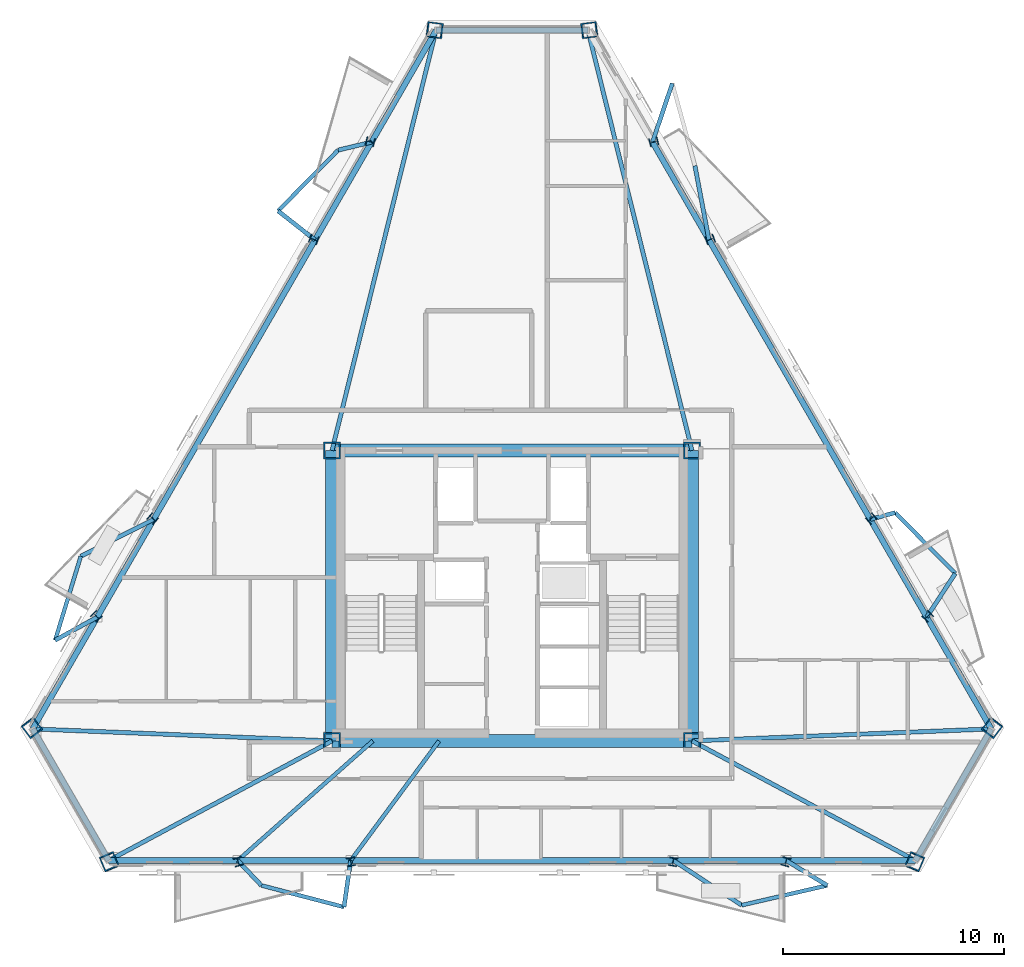
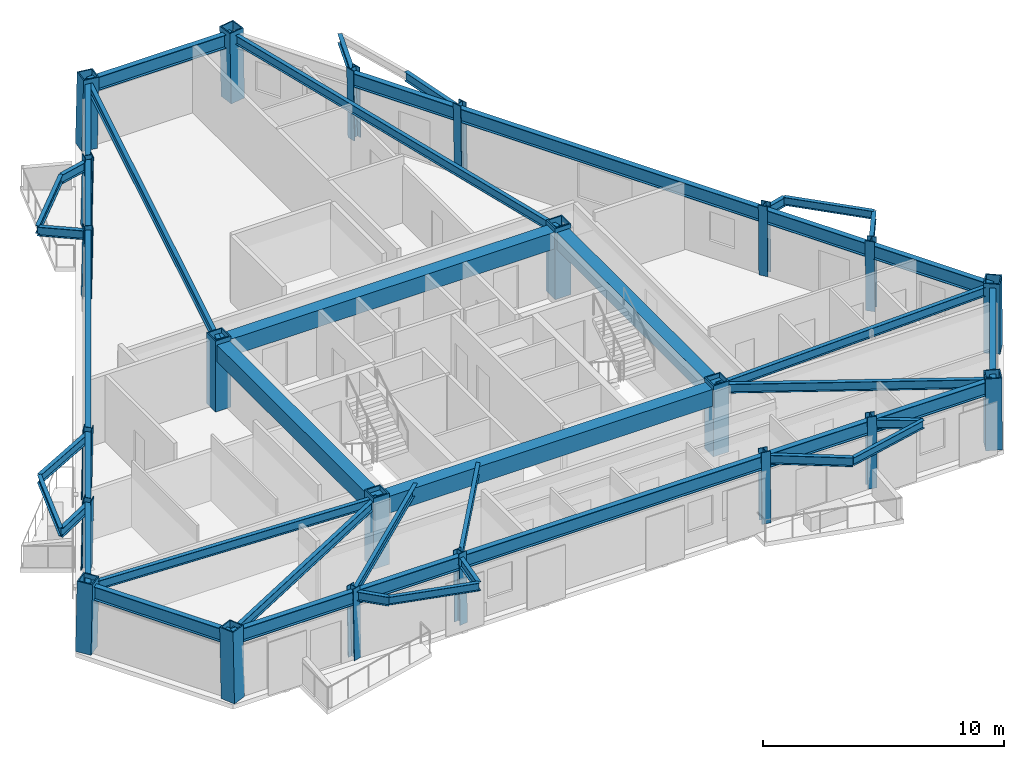
# One storey, part 1 of 10: 46 beams, 22 columns.
"""IFC4 building model written with IfcOpenShell, lengths in metres."""

from ifc_helpers import new_model, si_unit, direction, frame, origin, origin_2d, place, context, subcontext, project, spatial, rectangle, hollow_rectangle, i_section, extrude, material, material_profile, profile_set, type_object, element, save


model = new_model("IFC4")

# Units and contexts
model_context = context("Model", 3, precision=1e-05, world=origin(), true_north=direction((0.0, 1.0)))
body_context = subcontext(model_context, "Body", "Model", "MODEL_VIEW")
ifc_project = project(units=[si_unit("LENGTHUNIT", "METRE"), si_unit("AREAUNIT", "SQUARE_METRE"), si_unit("VOLUMEUNIT", "CUBIC_METRE"), si_unit("PLANEANGLEUNIT", "RADIAN"), si_unit("MASSUNIT", "GRAM", prefix="KILO")], contexts=[model_context])

# Site, building, storey
site_placement = place(None, origin())
site = spatial("IfcSite", under=ifc_project, at=site_placement, CompositionType="ELEMENT")
building_placement = place(site_placement, origin())
building = spatial("IfcBuilding", under=site, at=building_placement, Name="Oramaril Tower", CompositionType="ELEMENT")
storey_placement = place(building_placement, frame((0.0, 0.0, 209.10009765625)))
storey = spatial("IfcBuildingStorey", under=building, at=storey_placement, Name="L55", CompositionType="ELEMENT", Elevation=209.10009765625)

# Columns
ifc_material_1 = material(Name="Steel ASTM A572 Gr 50", Category="steel")
ifc_material_profile_1 = material_profile(ifc_material_1, hollow_rectangle(XDim=0.75, YDim=0.75, WallThickness=0.06005859375, at=origin_2d()), Name="BOX750X750X60")
ifc_profile_set_1 = profile_set([ifc_material_profile_1], Name="Steel ASTM A572 Gr 50")
column_type_1 = type_object("IfcColumnType", Name="CT-CC4", PredefinedType="COLUMN", material=ifc_profile_set_1)
for number, where, z_axis, x_axis, name in (
    (1, (29.35009765625, 11.0, 0.0), (0.0, 0.0, 1.0), (1.0, 0.0, 0.0), "L55 Core Column CC-1"),
    (2, (45.64990234375, 11.0, 0.0), (0.0, 0.0, 1.0), (1.0, 0.0, 0.0), "L55 Core Column CC-2"),
    (3, (45.64990234375, 24.14990234375, 0.0), (0.0, 0.0, 1.0), (1.0, 0.0, 0.0), "L55 Core Column CC-3"),
    (4, (29.35009765625, 24.14990234375, 0.0), (0.0, 0.0, 1.0), (1.0, 0.0, 0.0), "L55 Core Column CC-4"),
):
    element("IfcColumn", number, at=place(storey_placement, frame(where, z_axis=z_axis, x_axis=x_axis)), inside=storey, type_object=column_type_1, Name=name, PredefinedType="COLUMN", context=body_context, shape_type="SweptSolid", body=[
        extrude(hollow_rectangle(XDim=0.75, YDim=0.75, WallThickness=0.06005859375, at=origin_2d()), origin(), (0.0, 0.0, 1.0), 3.599853515625),
    ])
ifc_material_2 = material(Name="Steel ASTM A572 Gr 50", Category="steel")
ifc_material_profile_2 = material_profile(ifc_material_2, hollow_rectangle(XDim=0.699951171875, YDim=0.699951171875, WallThickness=0.054931640625, at=origin_2d()), Name="BOX700X700X55")
ifc_profile_set_2 = profile_set([ifc_material_profile_2], Name="Steel ASTM A572 Gr 50")
column_type_2 = type_object("IfcColumnType", Name="CT-TC4", PredefinedType="COLUMN", material=ifc_profile_set_2)
for number, where, z_axis, x_axis, name in (
    (5, (15.75439453125, 11.600830078125, 0.00439453125), (0.012370810716, -0.016177214013, 0.999792608889), (0.794357832977, 0.607450107571, 0.0), "L55 Tube Column TC-01"),
    (6, (19.266845703125, 5.517333984375, 0.00439453125), (-0.007884695021, 0.01876013643, 0.999792922992), (-0.921886676673, -0.387459617732, 0.0), "L55 Tube Column TC-02"),
    (7, (55.733154296875, 5.517333984375, 0.00439453125), (0.007884695021, 0.01876013643, 0.999792922992), (-0.921886676673, 0.387459617732, 0.0), "L55 Tube Column TC-03"),
    (8, (59.24560546875, 11.600830078125, 0.00439453125), (-0.012370810716, -0.016177214013, 0.999792608889), (0.794357832977, -0.607450107571, 0.0), "L55 Tube Column TC-04"),
    (9, (41.01220703125, 43.181884765625, 0.00439453125), (-0.020187537135, -0.002582917209, 0.999792874491), (0.12691156023, -0.991914036537, 0.0), "L55 Tube Column TC-05"),
    (10, (33.98779296875, 43.181884765625, 0.00439453125), (0.020187537135, -0.002582917209, 0.999792874491), (0.12691156023, 0.991914036537, 0.0), "L55 Tube Column TC-06"),
):
    element("IfcColumn", number, at=place(storey_placement, frame(where, z_axis=z_axis, x_axis=x_axis)), inside=storey, type_object=column_type_2, Name=name, PredefinedType="COLUMN", context=body_context, shape_type="SweptSolid", body=[
        extrude(hollow_rectangle(XDim=0.699951171875, YDim=0.699951171875, WallThickness=0.054931640625, at=origin_2d()), origin(), (0.0, 0.0, 1.0), 3.591796875),
    ])
ifc_material_3 = material(Name="Steel ASTM A572 Gr 50", Category="steel")
ifc_material_profile_3 = material_profile(ifc_material_3, i_section(OverallWidth=0.39892578125, OverallDepth=0.385986328125, WebThickness=0.02099609375, FlangeThickness=0.033203125, at=origin_2d()), Name="W14X176")
ifc_profile_set_3 = profile_set([ifc_material_profile_3], Name="Steel ASTM A572 Gr 50")
column_type_3 = type_object("IfcColumnType", Name="CT-TF4", PredefinedType="COLUMN", material=ifc_profile_set_3)
for number, where, z_axis, x_axis, name in (
    (11, (25.101318359375, 5.517333984375, 0.00439453125), (-0.005301867977, 0.018760455919, 0.999809949685), (-0.962309403107, -0.271957005226, 0.0), "L55 Tube Column TC-07"),
    (12, (30.206787109375, 5.517333984375, 0.00439453125), (-0.003194743918, 0.018760623861, 0.999818899903), (-0.985808595895, -0.167873202924, 0.0), "L55 Tube Column TC-08"),
    (13, (44.793212890625, 5.517333984375, 0.00439453125), (0.003194743918, 0.018760623861, 0.999818899903), (-0.985808595895, 0.167873202924, 0.0), "L55 Tube Column TC-09"),
    (14, (49.898681640625, 5.517333984375, 0.00439453125), (0.005301867977, 0.018760455919, 0.999809949685), (-0.962309403107, 0.271957005226, 0.0), "L55 Tube Column TC-10"),
    (15, (56.328369140625, 16.65380859375, 0.00439453125), (-0.01366248773, -0.014002350608, 0.99980861699), (0.715739588462, -0.698367268354, 0.0), "L55 Tube Column TC-11"),
    (16, (53.775634765625, 21.0751953125, 0.00439453125), (-0.014682216787, -0.01216720743, 0.999818179257), (0.6380782519, -0.769971521845, 0.0), "L55 Tube Column TC-12"),
    (17, (46.482421875, 33.70751953125, 0.00439453125), (-0.017876955264, -0.006661374965, 0.999818003716), (0.349170369863, -0.937059257897, 0.0), "L55 Tube Column TC-13"),
    (18, (43.9296875, 38.12890625, 0.00439453125), (-0.018964352845, -0.004758081359, 0.99980883872), (0.243353533895, -0.969937656523, 0.0), "L55 Tube Column TC-14"),
    (19, (31.0703125, 38.12890625, 0.00439453125), (0.018964352845, -0.004758081359, 0.99980883872), (0.243353533895, 0.969937656523, 0.0), "L55 Tube Column TC-15"),
    (20, (28.517578125, 33.70751953125, 0.00439453125), (0.017876955264, -0.006661374965, 0.999818003716), (0.349170369863, 0.937059257897, 0.0), "L55 Tube Column TC-16"),
    (21, (21.224365234375, 21.0751953125, 0.00439453125), (0.014682216787, -0.01216720743, 0.999818179257), (0.6380782519, 0.769971521845, 0.0), "L55 Tube Column TC-17"),
    (22, (18.671630859375, 16.65380859375, 0.00439453125), (0.01366248773, -0.014002350608, 0.99980861699), (0.715739588462, 0.698367268354, 0.0), "L55 Tube Column TC-18"),
):
    element("IfcColumn", number, at=place(storey_placement, frame(where, z_axis=z_axis, x_axis=x_axis)), inside=storey, type_object=column_type_3, Name=name, PredefinedType="COLUMN", context=body_context, shape_type="SweptSolid", body=[
        extrude(i_section(OverallWidth=0.39892578125, OverallDepth=0.385986328125, WebThickness=0.02099609375, FlangeThickness=0.033203125, at=origin_2d()), origin(), (0.0, 0.0, 1.0), 3.591796875),
    ])

# Beams
ifc_material_4 = material(Name="Steel ASTM A572 Gr 50", Category="steel")
ifc_material_profile_4 = material_profile(ifc_material_4, i_section(OverallWidth=0.19091796875, OverallDepth=0.45703125, WebThickness=0.009033203125, FlangeThickness=0.014404296875, at=origin_2d()), Name="W18X50")
ifc_profile_set_4 = profile_set([ifc_material_profile_4], Name="Steel ASTM A572 Gr 50")
beam_type_1 = type_object("IfcBeamType", Name="BT-BB1", PredefinedType="BEAM", material=ifc_profile_set_4)
beam_1_placement = place(storey_placement, frame((29.35009765625, 11.0, 3.1513671875), z_axis=(-0.999198973284, 0.040017643455, 0.0), x_axis=(-0.040017643455, -0.999198973284, 0.0)))
element("IfcBeam", 23, at=beam_1_placement, inside=storey, type_object=beam_type_1, Name="L55 Radial Primary Beam RB-01", PredefinedType="BEAM", context=body_context, shape_type="SweptSolid", body=[
    extrude(i_section(OverallWidth=0.19091796875, OverallDepth=0.45703125, WebThickness=0.009033203125, FlangeThickness=0.014404296875, at=origin_2d()), origin(), (0.0, 0.0, 1.0), 13.56201171875),
])
for number, where, z_axis, x_axis, name in (
    (24, (29.35009765625, 11.0, 3.1513671875), (-0.88153913353, -0.472110957356, 0.0), (0.472110957356, -0.88153913353, 0.0), "L55 Radial Primary Beam RB-02"),
    (25, (45.64990234375, 11.0, 3.1513671875), (0.88153913353, -0.472110957356, 0.0), (0.472110957356, 0.88153913353, 0.0), "L55 Radial Primary Beam RB-03"),
):
    element("IfcBeam", number, at=place(storey_placement, frame(where, z_axis=z_axis, x_axis=x_axis)), inside=storey, type_object=beam_type_1, Name=name, PredefinedType="BEAM", context=body_context, shape_type="SweptSolid", body=[
        extrude(i_section(OverallWidth=0.19091796875, OverallDepth=0.45703125, WebThickness=0.009033203125, FlangeThickness=0.014404296875, at=origin_2d()), origin(), (0.0, 0.0, 1.0), 11.470458984375),
    ])
beam_2_placement = place(storey_placement, frame((45.64990234375, 11.0, 3.1513671875), z_axis=(0.999198973284, 0.040017643455, 0.0), x_axis=(-0.040017643455, 0.999198973284, 0.0)))
element("IfcBeam", 26, at=beam_2_placement, inside=storey, type_object=beam_type_1, Name="L55 Radial Primary Beam RB-04", PredefinedType="BEAM", context=body_context, shape_type="SweptSolid", body=[
    extrude(i_section(OverallWidth=0.19091796875, OverallDepth=0.45703125, WebThickness=0.009033203125, FlangeThickness=0.014404296875, at=origin_2d()), origin(), (0.0, 0.0, 1.0), 13.56201171875),
])
for number, where, z_axis, x_axis, name in (
    (27, (45.64990234375, 24.14990234375, 3.1513671875), (-0.240351205428, 0.970685993537, 0.0), (-0.970685993537, -0.240351205428, 0.0), "L55 Radial Primary Beam RB-05"),
    (28, (29.35009765625, 24.14990234375, 3.1513671875), (0.240351205428, 0.970685993537, 0.0), (-0.970685993537, 0.240351205428, 0.0), "L55 Radial Primary Beam RB-06"),
):
    element("IfcBeam", number, at=place(storey_placement, frame(where, z_axis=z_axis, x_axis=x_axis)), inside=storey, type_object=beam_type_1, Name=name, PredefinedType="BEAM", context=body_context, shape_type="SweptSolid", body=[
        extrude(i_section(OverallWidth=0.19091796875, OverallDepth=0.45703125, WebThickness=0.009033203125, FlangeThickness=0.014404296875, at=origin_2d()), origin(), (0.0, 0.0, 1.0), 19.59716796875),
    ])
beam_3_placement = place(storey_placement, frame((25.082275390625, 5.584716796875, 3.1513671875), z_axis=(0.687757722845, -0.725940296903, 0.0), x_axis=(0.725940296903, 0.687757722845, 0.0)))
element("IfcBeam", 29, at=beam_3_placement, inside=storey, type_object=beam_type_1, Name="L55 Balcony Column-Framed Cantilever 01.1", PredefinedType="BEAM", context=body_context, shape_type="SweptSolid", body=[
    extrude(i_section(OverallWidth=0.19091796875, OverallDepth=0.45703125, WebThickness=0.009033203125, FlangeThickness=0.014404296875, at=origin_2d()), origin(), (0.0, 0.0, 1.0), 1.5537109375),
])
beam_4_placement = place(storey_placement, frame((30.1953125, 5.584716796875, 3.1513671875), z_axis=(-0.141036076246, -0.99000445716, 0.0), x_axis=(0.99000445716, -0.141036076246, 0.0)))
element("IfcBeam", 30, at=beam_4_placement, inside=storey, type_object=beam_type_1, Name="L55 Balcony Column-Framed Cantilever 01.2", PredefinedType="BEAM", context=body_context, shape_type="SweptSolid", body=[
    extrude(i_section(OverallWidth=0.19091796875, OverallDepth=0.45703125, WebThickness=0.009033203125, FlangeThickness=0.014404296875, at=origin_2d()), origin(), (0.0, 0.0, 1.0), 2.129150390625),
])
beam_5_placement = place(storey_placement, frame((44.8046875, 5.584716796875, 3.1513671875), z_axis=(0.837081189255, -0.547078680444, 0.0), x_axis=(0.547078680444, 0.837081189255, 0.0)))
element("IfcBeam", 31, at=beam_5_placement, inside=storey, type_object=beam_type_1, Name="L55 Balcony Column-Framed Cantilever 02.1", PredefinedType="BEAM", context=body_context, shape_type="SweptSolid", body=[
    extrude(i_section(OverallWidth=0.19091796875, OverallDepth=0.45703125, WebThickness=0.009033203125, FlangeThickness=0.014404296875, at=origin_2d()), origin(), (0.0, 0.0, 1.0), 3.699951171875),
])
beam_6_placement = place(storey_placement, frame((49.917724609375, 5.584716796875, 3.1513671875), z_axis=(0.854593344402, -0.519297810224, 0.0), x_axis=(0.519297810224, 0.854593344402, 0.0)))
element("IfcBeam", 32, at=beam_6_placement, inside=storey, type_object=beam_type_1, Name="L55 Balcony Column-Framed Cantilever 02.2", PredefinedType="BEAM", context=body_context, shape_type="SweptSolid", body=[
    extrude(i_section(OverallWidth=0.19091796875, OverallDepth=0.45703125, WebThickness=0.009033203125, FlangeThickness=0.014404296875, at=origin_2d()), origin(), (0.0, 0.0, 1.0), 2.172119140625),
])
beam_7_placement = place(storey_placement, frame((56.279296875, 16.603515625, 3.1513671875), z_axis=(0.546352856245, 0.837555106529, 0.0), x_axis=(-0.837555106529, 0.546352856245, 0.0)))
element("IfcBeam", 33, at=beam_7_placement, inside=storey, type_object=beam_type_1, Name="L55 Balcony Column-Framed Cantilever 03.1", PredefinedType="BEAM", context=body_context, shape_type="SweptSolid", body=[
    extrude(i_section(OverallWidth=0.19091796875, OverallDepth=0.45703125, WebThickness=0.009033203125, FlangeThickness=0.014404296875, at=origin_2d()), origin(), (0.0, 0.0, 1.0), 2.363525390625),
])
beam_8_placement = place(storey_placement, frame((53.722900390625, 21.031494140625, 3.1513671875), z_axis=(0.965498528975, 0.260408507057, 0.0), x_axis=(-0.260408507057, 0.965498528975, 0.0)))
element("IfcBeam", 34, at=beam_8_placement, inside=storey, type_object=beam_type_1, Name="L55 Balcony Column-Framed Cantilever 03.2", PredefinedType="BEAM", context=body_context, shape_type="SweptSolid", body=[
    extrude(i_section(OverallWidth=0.19091796875, OverallDepth=0.45703125, WebThickness=0.009033203125, FlangeThickness=0.014404296875, at=origin_2d()), origin(), (0.0, 0.0, 1.0), 1.167236328125),
])
beam_9_placement = place(storey_placement, frame((46.418212890625, 33.68359375, 3.1513671875), z_axis=(-0.186048264902, 0.98254060635, 0.0), x_axis=(-0.98254060635, -0.186048264902, 0.0)))
element("IfcBeam", 35, at=beam_9_placement, inside=storey, type_object=beam_type_1, Name="L55 Balcony Column-Framed Cantilever 04.1", PredefinedType="BEAM", context=body_context, shape_type="SweptSolid", body=[
    extrude(i_section(OverallWidth=0.19091796875, OverallDepth=0.45703125, WebThickness=0.009033203125, FlangeThickness=0.014404296875, at=origin_2d()), origin(), (0.0, 0.0, 1.0), 3.4169921875),
])
beam_10_placement = place(storey_placement, frame((43.861572265625, 38.11181640625, 3.1513671875), z_axis=(0.319537696029, 0.947573564857, 0.0), x_axis=(-0.947573564857, 0.319537696029, 0.0)))
element("IfcBeam", 36, at=beam_10_placement, inside=storey, type_object=beam_type_1, Name="L55 Balcony Column-Framed Cantilever 04.2", PredefinedType="BEAM", context=body_context, shape_type="SweptSolid", body=[
    extrude(i_section(OverallWidth=0.19091796875, OverallDepth=0.45703125, WebThickness=0.009033203125, FlangeThickness=0.014404296875, at=origin_2d()), origin(), (0.0, 0.0, 1.0), 2.80859375),
])
beam_11_placement = place(storey_placement, frame((31.138427734375, 38.11181640625, 3.1513671875), z_axis=(-0.972551071499, -0.232689521307, 0.0), x_axis=(0.232689521307, -0.972551071499, 0.0)))
element("IfcBeam", 37, at=beam_11_placement, inside=storey, type_object=beam_type_1, Name="L55 Balcony Column-Framed Cantilever 05.1", PredefinedType="BEAM", context=body_context, shape_type="SweptSolid", body=[
    extrude(i_section(OverallWidth=0.19091796875, OverallDepth=0.45703125, WebThickness=0.009033203125, FlangeThickness=0.014404296875, at=origin_2d()), origin(), (0.0, 0.0, 1.0), 1.553955078125),
])
beam_12_placement = place(storey_placement, frame((28.581787109375, 33.68359375, 3.1513671875), z_axis=(-0.786795551775, 0.617213706675, 0.0), x_axis=(-0.617213706675, -0.786795551775, 0.0)))
element("IfcBeam", 38, at=beam_12_placement, inside=storey, type_object=beam_type_1, Name="L55 Balcony Column-Framed Cantilever 05.2", PredefinedType="BEAM", context=body_context, shape_type="SweptSolid", body=[
    extrude(i_section(OverallWidth=0.19091796875, OverallDepth=0.45703125, WebThickness=0.009033203125, FlangeThickness=0.014404296875, at=origin_2d()), origin(), (0.0, 0.0, 1.0), 2.129150390625),
])
beam_13_placement = place(storey_placement, frame((21.277099609375, 21.031494140625, 3.1513671875), z_axis=(-0.892345591428, -0.451352794895, 0.0), x_axis=(0.451352794895, -0.892345591428, 0.0)))
element("IfcBeam", 39, at=beam_13_placement, inside=storey, type_object=beam_type_1, Name="L55 Balcony Column-Framed Cantilever 06.1", PredefinedType="BEAM", context=body_context, shape_type="SweptSolid", body=[
    extrude(i_section(OverallWidth=0.19091796875, OverallDepth=0.45703125, WebThickness=0.009033203125, FlangeThickness=0.014404296875, at=origin_2d()), origin(), (0.0, 0.0, 1.0), 3.69970703125),
])
beam_14_placement = place(storey_placement, frame((18.720703125, 16.603515625, 3.1513671875), z_axis=(-0.877004935496, -0.480481366044, 0.0), x_axis=(0.480481366044, -0.877004935496, 0.0)))
element("IfcBeam", 40, at=beam_14_placement, inside=storey, type_object=beam_type_1, Name="L55 Balcony Column-Framed Cantilever 06.2", PredefinedType="BEAM", context=body_context, shape_type="SweptSolid", body=[
    extrude(i_section(OverallWidth=0.19091796875, OverallDepth=0.45703125, WebThickness=0.009033203125, FlangeThickness=0.014404296875, at=origin_2d()), origin(), (0.0, 0.0, 1.0), 2.172119140625),
])
ifc_material_5 = material(Name="Concrete C50/60", Category="concrete")
ifc_material_profile_5 = material_profile(ifc_material_5, rectangle(XDim=0.60009765625, YDim=0.85009765625, at=origin_2d()), Name="CB600X850")
ifc_profile_set_5 = profile_set([ifc_material_profile_5], Name="Concrete C50/60")
beam_type_2 = type_object("IfcBeamType", Name="BT-CB2", PredefinedType="BEAM", material=ifc_profile_set_5)
beam_15_placement = place(storey_placement, frame((29.35009765625, 11.0, 2.954833984375), z_axis=(1.0, 0.0, 0.0), x_axis=(0.0, 1.0, 0.0)))
element("IfcBeam", 41, at=beam_15_placement, inside=storey, type_object=beam_type_2, Name="L55 Core Header Beam CB-1", PredefinedType="BEAM", context=body_context, shape_type="SweptSolid", body=[
    extrude(rectangle(XDim=0.60009765625, YDim=0.85009765625, at=origin_2d()), origin(), (0.0, 0.0, 1.0), 16.2998046875),
])
beam_16_placement = place(storey_placement, frame((45.64990234375, 11.0, 2.954833984375), z_axis=(0.0, 1.0, 0.0), x_axis=(-1.0, 0.0, 0.0)))
element("IfcBeam", 42, at=beam_16_placement, inside=storey, type_object=beam_type_2, Name="L55 Core Header Beam CB-2", PredefinedType="BEAM", context=body_context, shape_type="SweptSolid", body=[
    extrude(rectangle(XDim=0.60009765625, YDim=0.85009765625, at=origin_2d()), origin(), (0.0, 0.0, 1.0), 13.14990234375),
])
beam_17_placement = place(storey_placement, frame((45.64990234375, 24.14990234375, 2.954833984375), z_axis=(-1.0, 0.0, 0.0), x_axis=(0.0, -1.0, 0.0)))
element("IfcBeam", 43, at=beam_17_placement, inside=storey, type_object=beam_type_2, Name="L55 Core Header Beam CB-3", PredefinedType="BEAM", context=body_context, shape_type="SweptSolid", body=[
    extrude(rectangle(XDim=0.60009765625, YDim=0.85009765625, at=origin_2d()), origin(), (0.0, 0.0, 1.0), 16.2998046875),
])
beam_18_placement = place(storey_placement, frame((29.35009765625, 24.14990234375, 2.954833984375), z_axis=(0.0, -1.0, 0.0), x_axis=(1.0, 0.0, 0.0)))
element("IfcBeam", 44, at=beam_18_placement, inside=storey, type_object=beam_type_2, Name="L55 Core Header Beam CB-4", PredefinedType="BEAM", context=body_context, shape_type="SweptSolid", body=[
    extrude(rectangle(XDim=0.60009765625, YDim=0.85009765625, at=origin_2d()), origin(), (0.0, 0.0, 1.0), 13.14990234375),
])
ifc_material_6 = material(Name="Steel ASTM A572 Gr 50", Category="steel")
ifc_material_profile_6 = material_profile(ifc_material_6, i_section(OverallWidth=0.177978515625, OverallDepth=0.404052734375, WebThickness=0.007568359375, FlangeThickness=0.010986328125, at=origin_2d()), Name="W16X36")
ifc_profile_set_6 = profile_set([ifc_material_profile_6], Name="Steel ASTM A572 Gr 50")
beam_type_3 = type_object("IfcBeamType", Name="BT-SB1", PredefinedType="BEAM", material=ifc_profile_set_6)
beam_19_placement = place(storey_placement, frame((31.199951171875, 11.0, 3.177978515625), z_axis=(-0.74878434915, -0.66281369816, 0.0), x_axis=(0.66281369816, -0.74878434915, 0.0)))
element("IfcBeam", 45, at=beam_19_placement, inside=storey, type_object=beam_type_3, Name="L55 Secondary Floor Beam SB-01", PredefinedType="BEAM", context=body_context, shape_type="SweptSolid", body=[
    extrude(i_section(OverallWidth=0.177978515625, OverallDepth=0.404052734375, WebThickness=0.007568359375, FlangeThickness=0.010986328125, at=origin_2d()), origin(), (0.0, 0.0, 1.0), 8.170166015625),
])
beam_20_placement = place(storey_placement, frame((34.199951171875, 11.0, 3.177978515625), z_axis=(-0.594586733061, -0.804031477536, 0.0), x_axis=(0.804031477536, -0.594586733061, 0.0)))
element("IfcBeam", 46, at=beam_20_placement, inside=storey, type_object=beam_type_3, Name="L55 Secondary Floor Beam SB-02", PredefinedType="BEAM", context=body_context, shape_type="SweptSolid", body=[
    extrude(i_section(OverallWidth=0.177978515625, OverallDepth=0.404052734375, WebThickness=0.007568359375, FlangeThickness=0.010986328125, at=origin_2d()), origin(), (0.0, 0.0, 1.0), 6.735107421875),
])
beam_21_placement = place(storey_placement, frame((26.15087890625, 4.456787109375, 3.177978515625), z_axis=(0.967411967632, -0.253207592467, 0.0), x_axis=(0.253207592467, 0.967411967632, 0.0)))
element("IfcBeam", 47, at=beam_21_placement, inside=storey, type_object=beam_type_3, Name="L55 Balcony Edge Tie Beam 01", PredefinedType="BEAM", context=body_context, shape_type="SweptSolid", body=[
    extrude(i_section(OverallWidth=0.177978515625, OverallDepth=0.404052734375, WebThickness=0.007568359375, FlangeThickness=0.010986328125, at=origin_2d()), origin(), (0.0, 0.0, 1.0), 3.870361328125),
])
beam_22_placement = place(storey_placement, frame((47.90185546875, 3.560546875, 3.177978515625), z_axis=(0.974242936899, 0.225500997563, 0.0), x_axis=(-0.225500997563, 0.974242936899, 0.0)))
element("IfcBeam", 48, at=beam_22_placement, inside=storey, type_object=beam_type_3, Name="L55 Balcony Edge Tie Beam 02", PredefinedType="BEAM", context=body_context, shape_type="SweptSolid", body=[
    extrude(i_section(OverallWidth=0.177978515625, OverallDepth=0.404052734375, WebThickness=0.007568359375, FlangeThickness=0.010986328125, at=origin_2d()), origin(), (0.0, 0.0, 1.0), 3.974365234375),
])
for number, where, z_axis, x_axis, name in (
    (49, (57.570556640625, 18.5830078125, 3.177978515625), (-0.702994511648, 0.71119527318, 0.0), (-0.71119527318, -0.702994511648, 0.0), "L55 Balcony Edge Tie Beam 03"),
    (50, (29.627197265625, 37.750244140625, 3.177978515625), (-0.702994511648, -0.71119527318, 0.0), (0.71119527318, -0.702994511648, 0.0), "L55 Balcony Edge Tie Beam 05"),
):
    element("IfcBeam", number, at=place(storey_placement, frame(where, z_axis=z_axis, x_axis=x_axis)), inside=storey, type_object=beam_type_3, Name=name, PredefinedType="BEAM", context=body_context, shape_type="SweptSolid", body=[
        extrude(i_section(OverallWidth=0.177978515625, OverallDepth=0.404052734375, WebThickness=0.007568359375, FlangeThickness=0.010986328125, at=origin_2d()), origin(), (0.0, 0.0, 1.0), 3.8701171875),
    ])
beam_23_placement = place(storey_placement, frame((17.9755859375, 19.361572265625, 3.177978515625), z_axis=(-0.291819024452, -0.956473552676, 0.0), x_axis=(0.956473552676, -0.291819024452, 0.0)))
element("IfcBeam", 51, at=beam_23_placement, inside=storey, type_object=beam_type_3, Name="L55 Balcony Edge Tie Beam 06", PredefinedType="BEAM", context=body_context, shape_type="SweptSolid", body=[
    extrude(i_section(OverallWidth=0.177978515625, OverallDepth=0.404052734375, WebThickness=0.007568359375, FlangeThickness=0.010986328125, at=origin_2d()), origin(), (0.0, 0.0, 1.0), 3.974853515625),
])
ifc_material_7 = material(Name="Steel ASTM A572 Gr 50", Category="steel")
ifc_material_profile_7 = material_profile(ifc_material_7, i_section(OverallWidth=0.257080078125, OverallDepth=0.693115234375, WebThickness=0.014404296875, FlangeThickness=0.023681640625, at=origin_2d()), Name="W27X114")
ifc_profile_set_7 = profile_set([ifc_material_profile_7], Name="Steel ASTM A572 Gr 50")
beam_type_4 = type_object("IfcBeamType", Name="BT-SP4", PredefinedType="SPANDREL", material=ifc_profile_set_7)
beam_24_placement = place(storey_placement, frame((15.798828125, 11.542724609375, 3.033447265625), z_axis=(0.499982540895, -0.866035483569, 0.0), x_axis=(0.866035483569, 0.499982540895, 0.0)))
element("IfcBeam", 52, at=beam_24_placement, inside=storey, type_object=beam_type_4, Name="L55 Perimeter Spandrel 01", PredefinedType="SPANDREL", context=body_context, shape_type="SweptSolid", body=[
    extrude(i_section(OverallWidth=0.257080078125, OverallDepth=0.693115234375, WebThickness=0.014404296875, FlangeThickness=0.023681640625, at=origin_2d()), origin(), (0.0, 0.0, 1.0), 6.879638671875),
])
beam_25_placement = place(storey_placement, frame((19.238525390625, 5.584716796875, 3.033447265625), z_axis=(1.0, 0.0, 0.0), x_axis=(0.0, 1.0, 0.0)))
element("IfcBeam", 53, at=beam_25_placement, inside=storey, type_object=beam_type_4, Name="L55 Perimeter Spandrel 02", PredefinedType="SPANDREL", context=body_context, shape_type="SweptSolid", body=[
    extrude(i_section(OverallWidth=0.257080078125, OverallDepth=0.693115234375, WebThickness=0.014404296875, FlangeThickness=0.023681640625, at=origin_2d()), origin(), (0.0, 0.0, 1.0), 5.84375),
])
beam_26_placement = place(storey_placement, frame((25.082275390625, 5.584716796875, 3.033447265625), z_axis=(1.0, 0.0, 0.0), x_axis=(0.0, 1.0, 0.0)))
element("IfcBeam", 54, at=beam_26_placement, inside=storey, type_object=beam_type_4, Name="L55 Perimeter Spandrel 03", PredefinedType="SPANDREL", context=body_context, shape_type="SweptSolid", body=[
    extrude(i_section(OverallWidth=0.257080078125, OverallDepth=0.693115234375, WebThickness=0.014404296875, FlangeThickness=0.023681640625, at=origin_2d()), origin(), (0.0, 0.0, 1.0), 5.113037109375),
])
beam_27_placement = place(storey_placement, frame((30.1953125, 5.584716796875, 3.033447265625), z_axis=(1.0, 0.0, 0.0), x_axis=(0.0, 1.0, 0.0)))
element("IfcBeam", 55, at=beam_27_placement, inside=storey, type_object=beam_type_4, Name="L55 Perimeter Spandrel 04", PredefinedType="SPANDREL", context=body_context, shape_type="SweptSolid", body=[
    extrude(i_section(OverallWidth=0.257080078125, OverallDepth=0.693115234375, WebThickness=0.014404296875, FlangeThickness=0.023681640625, at=origin_2d()), origin(), (0.0, 0.0, 1.0), 14.609375),
])
beam_28_placement = place(storey_placement, frame((44.8046875, 5.584716796875, 3.033447265625), z_axis=(1.0, 0.0, 0.0), x_axis=(0.0, 1.0, 0.0)))
element("IfcBeam", 56, at=beam_28_placement, inside=storey, type_object=beam_type_4, Name="L55 Perimeter Spandrel 05", PredefinedType="SPANDREL", context=body_context, shape_type="SweptSolid", body=[
    extrude(i_section(OverallWidth=0.257080078125, OverallDepth=0.693115234375, WebThickness=0.014404296875, FlangeThickness=0.023681640625, at=origin_2d()), origin(), (0.0, 0.0, 1.0), 5.113037109375),
])
beam_29_placement = place(storey_placement, frame((49.917724609375, 5.584716796875, 3.033447265625), z_axis=(1.0, 0.0, 0.0), x_axis=(0.0, 1.0, 0.0)))
element("IfcBeam", 57, at=beam_29_placement, inside=storey, type_object=beam_type_4, Name="L55 Perimeter Spandrel 06", PredefinedType="SPANDREL", context=body_context, shape_type="SweptSolid", body=[
    extrude(i_section(OverallWidth=0.257080078125, OverallDepth=0.693115234375, WebThickness=0.014404296875, FlangeThickness=0.023681640625, at=origin_2d()), origin(), (0.0, 0.0, 1.0), 5.84375),
])
beam_30_placement = place(storey_placement, frame((55.761474609375, 5.584716796875, 3.033447265625), z_axis=(0.499982540895, 0.866035483569, 0.0), x_axis=(-0.866035483569, 0.499982540895, 0.0)))
element("IfcBeam", 58, at=beam_30_placement, inside=storey, type_object=beam_type_4, Name="L55 Perimeter Spandrel 07", PredefinedType="SPANDREL", context=body_context, shape_type="SweptSolid", body=[
    extrude(i_section(OverallWidth=0.257080078125, OverallDepth=0.693115234375, WebThickness=0.014404296875, FlangeThickness=0.023681640625, at=origin_2d()), origin(), (0.0, 0.0, 1.0), 6.879638671875),
])
beam_31_placement = place(storey_placement, frame((59.201171875, 11.542724609375, 3.033447265625), z_axis=(-0.500003329834, 0.866023481295, 0.0), x_axis=(-0.866023481295, -0.500003329834, 0.0)))
element("IfcBeam", 59, at=beam_31_placement, inside=storey, type_object=beam_type_4, Name="L55 Perimeter Spandrel 08", PredefinedType="SPANDREL", context=body_context, shape_type="SweptSolid", body=[
    extrude(i_section(OverallWidth=0.257080078125, OverallDepth=0.693115234375, WebThickness=0.014404296875, FlangeThickness=0.023681640625, at=origin_2d()), origin(), (0.0, 0.0, 1.0), 5.84375),
])
beam_32_placement = place(storey_placement, frame((56.279296875, 16.603515625, 3.033447265625), z_axis=(-0.499985609446, 0.866033712015, 0.0), x_axis=(-0.866033712015, -0.499985609446, 0.0)))
element("IfcBeam", 60, at=beam_32_placement, inside=storey, type_object=beam_type_4, Name="L55 Perimeter Spandrel 09", PredefinedType="SPANDREL", context=body_context, shape_type="SweptSolid", body=[
    extrude(i_section(OverallWidth=0.257080078125, OverallDepth=0.693115234375, WebThickness=0.014404296875, FlangeThickness=0.023681640625, at=origin_2d()), origin(), (0.0, 0.0, 1.0), 5.113037109375),
])
beam_33_placement = place(storey_placement, frame((53.722900390625, 21.031494140625, 3.033447265625), z_axis=(-0.499999711729, 0.866025570218, 0.0), x_axis=(-0.866025570218, -0.499999711729, 0.0)))
element("IfcBeam", 61, at=beam_33_placement, inside=storey, type_object=beam_type_4, Name="L55 Perimeter Spandrel 10", PredefinedType="SPANDREL", context=body_context, shape_type="SweptSolid", body=[
    extrude(i_section(OverallWidth=0.257080078125, OverallDepth=0.693115234375, WebThickness=0.014404296875, FlangeThickness=0.023681640625, at=origin_2d()), origin(), (0.0, 0.0, 1.0), 14.609375),
])
beam_34_placement = place(storey_placement, frame((46.418212890625, 33.68359375, 3.033447265625), z_axis=(-0.500000745469, 0.866024973387, 0.0), x_axis=(-0.866024973387, -0.500000745469, 0.0)))
element("IfcBeam", 62, at=beam_34_placement, inside=storey, type_object=beam_type_4, Name="L55 Perimeter Spandrel 11", PredefinedType="SPANDREL", context=body_context, shape_type="SweptSolid", body=[
    extrude(i_section(OverallWidth=0.257080078125, OverallDepth=0.693115234375, WebThickness=0.014404296875, FlangeThickness=0.023681640625, at=origin_2d()), origin(), (0.0, 0.0, 1.0), 5.11328125),
])
beam_35_placement = place(storey_placement, frame((40.939697265625, 43.172607421875, 3.033447265625), z_axis=(-1.0, 0.0, 0.0), x_axis=(0.0, -1.0, 0.0)))
element("IfcBeam", 63, at=beam_35_placement, inside=storey, type_object=beam_type_4, Name="L55 Perimeter Spandrel 13", PredefinedType="SPANDREL", context=body_context, shape_type="SweptSolid", body=[
    extrude(i_section(OverallWidth=0.257080078125, OverallDepth=0.693115234375, WebThickness=0.014404296875, FlangeThickness=0.023681640625, at=origin_2d()), origin(), (0.0, 0.0, 1.0), 6.87939453125),
])
beam_36_placement = place(storey_placement, frame((34.060302734375, 43.172607421875, 3.033447265625), z_axis=(-0.500003329834, -0.866023481295, 0.0), x_axis=(0.866023481295, -0.500003329834, 0.0)))
element("IfcBeam", 64, at=beam_36_placement, inside=storey, type_object=beam_type_4, Name="L55 Perimeter Spandrel 14", PredefinedType="SPANDREL", context=body_context, shape_type="SweptSolid", body=[
    extrude(i_section(OverallWidth=0.257080078125, OverallDepth=0.693115234375, WebThickness=0.014404296875, FlangeThickness=0.023681640625, at=origin_2d()), origin(), (0.0, 0.0, 1.0), 5.84375),
])
beam_37_placement = place(storey_placement, frame((31.138427734375, 38.11181640625, 3.033447265625), z_axis=(-0.500000745469, -0.866024973387, 0.0), x_axis=(0.866024973387, -0.500000745469, 0.0)))
element("IfcBeam", 65, at=beam_37_placement, inside=storey, type_object=beam_type_4, Name="L55 Perimeter Spandrel 15", PredefinedType="SPANDREL", context=body_context, shape_type="SweptSolid", body=[
    extrude(i_section(OverallWidth=0.257080078125, OverallDepth=0.693115234375, WebThickness=0.014404296875, FlangeThickness=0.023681640625, at=origin_2d()), origin(), (0.0, 0.0, 1.0), 5.11328125),
])
beam_38_placement = place(storey_placement, frame((28.581787109375, 33.68359375, 3.033447265625), z_axis=(-0.499999711729, -0.866025570218, 0.0), x_axis=(0.866025570218, -0.499999711729, 0.0)))
element("IfcBeam", 66, at=beam_38_placement, inside=storey, type_object=beam_type_4, Name="L55 Perimeter Spandrel 16", PredefinedType="SPANDREL", context=body_context, shape_type="SweptSolid", body=[
    extrude(i_section(OverallWidth=0.257080078125, OverallDepth=0.693115234375, WebThickness=0.014404296875, FlangeThickness=0.023681640625, at=origin_2d()), origin(), (0.0, 0.0, 1.0), 14.609375),
])
beam_39_placement = place(storey_placement, frame((21.277099609375, 21.031494140625, 3.033447265625), z_axis=(-0.499985609446, -0.866033712015, 0.0), x_axis=(0.866033712015, -0.499985609446, 0.0)))
element("IfcBeam", 67, at=beam_39_placement, inside=storey, type_object=beam_type_4, Name="L55 Perimeter Spandrel 17", PredefinedType="SPANDREL", context=body_context, shape_type="SweptSolid", body=[
    extrude(i_section(OverallWidth=0.257080078125, OverallDepth=0.693115234375, WebThickness=0.014404296875, FlangeThickness=0.023681640625, at=origin_2d()), origin(), (0.0, 0.0, 1.0), 5.113037109375),
])
beam_40_placement = place(storey_placement, frame((18.720703125, 16.603515625, 3.033447265625), z_axis=(-0.500003329834, -0.866023481295, 0.0), x_axis=(0.866023481295, -0.500003329834, 0.0)))
element("IfcBeam", 68, at=beam_40_placement, inside=storey, type_object=beam_type_4, Name="L55 Perimeter Spandrel 18", PredefinedType="SPANDREL", context=body_context, shape_type="SweptSolid", body=[
    extrude(i_section(OverallWidth=0.257080078125, OverallDepth=0.693115234375, WebThickness=0.014404296875, FlangeThickness=0.023681640625, at=origin_2d()), origin(), (0.0, 0.0, 1.0), 5.84375),
])

save(model, "model.ifc")
